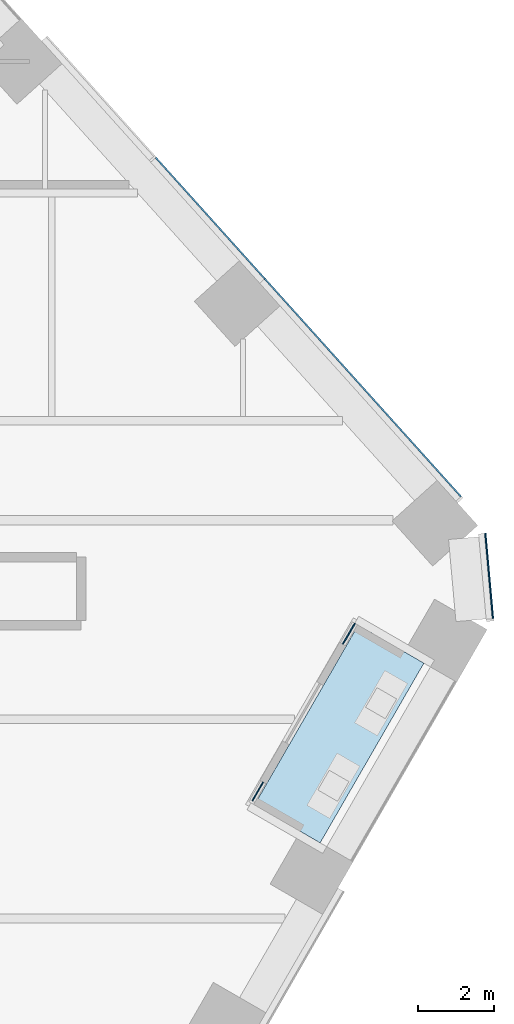
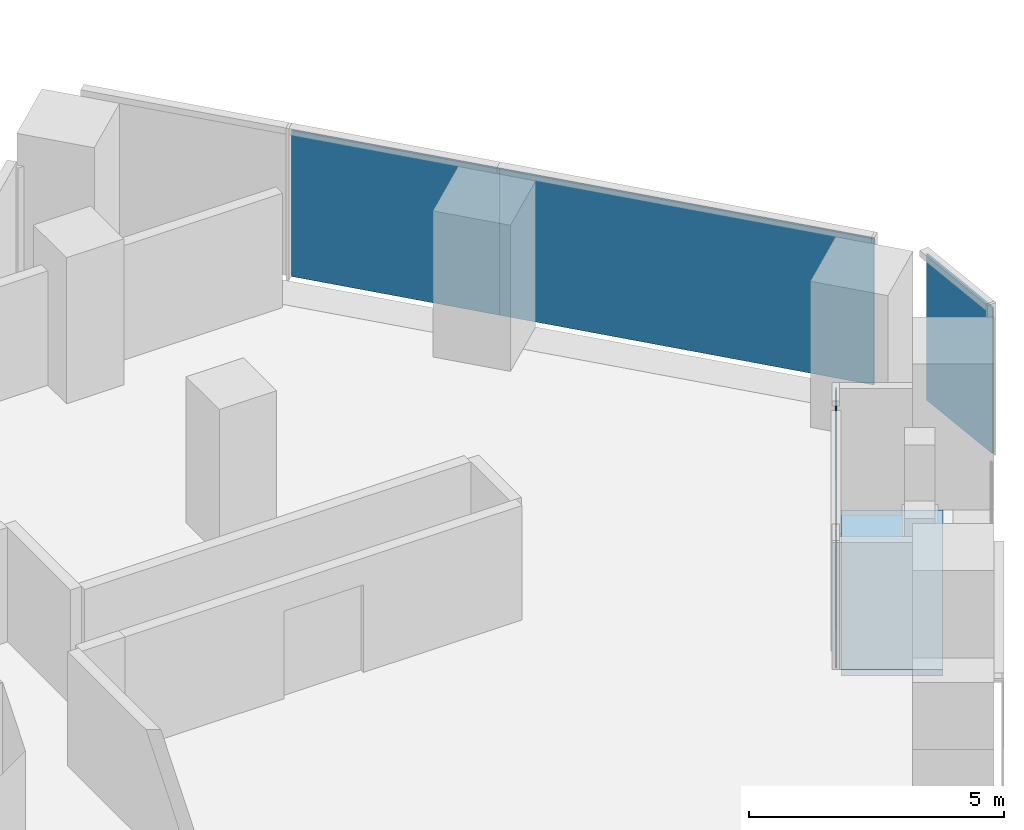
# One storey, part 19 of 28: 5 plates, 1 slab, 3 elements without a shape of their own.
"""IFC4 building model written with IfcOpenShell, lengths in metres."""

from ifc_helpers import new_model, si_unit, direction, frame, origin, origin_2d, place, context, subcontext, project, spatial, polyline, rectangle, outline, extrude, material, layer, layer_set, type_object, element, aggregate, save


model = new_model("IFC4")

# Units and contexts
model_context = context("Model", 3, precision=1e-05, world=origin(), true_north=direction((0.0, 1.0)))
body_context = subcontext(model_context, "Body", "Model", "MODEL_VIEW")
ifc_project = project(units=[si_unit("LENGTHUNIT", "METRE"), si_unit("AREAUNIT", "SQUARE_METRE"), si_unit("VOLUMEUNIT", "CUBIC_METRE"), si_unit("PLANEANGLEUNIT", "RADIAN"), si_unit("MASSUNIT", "GRAM", prefix="KILO")], contexts=[model_context])

# Site, building, storey
site_placement = place(None, origin())
site = spatial("IfcSite", under=ifc_project, at=site_placement, CompositionType="ELEMENT")
building_placement = place(site_placement, origin())
building = spatial("IfcBuilding", under=site, at=building_placement, Name="Isthmus Gate Tower", CompositionType="ELEMENT")
storey_placement = place(building_placement, frame((0.0, 0.0, 84.300048828125)))
storey = spatial("IfcBuildingStorey", under=building, at=storey_placement, Name="L19", CompositionType="ELEMENT", Elevation=84.300048828125)

# Curtain wall, plate
ifc_material_1 = material(Name="Aluminium, pale champagne anodised", Category="aluminium")
ifc_layer_1 = layer(ifc_material_1, 0.199951171875)
ifc_layer_set_1 = layer_set([ifc_layer_1], Name="CW-1 UNITISED CURTAIN WALL 200 DEEP")
curtain_wall_type_1 = type_object("IfcCurtainWallType", Name="CW-1 UNITISED CURTAIN WALL 200 DEEP", PredefinedType="NOTDEFINED", material=ifc_layer_set_1)
curtain_wall_1_placement = place(storey_placement, origin())
curtain_wall_1 = element("IfcCurtainWall", 1, at=curtain_wall_1_placement, inside=storey, type_object=curtain_wall_type_1, Name="CW-1 SE-NE L19", PredefinedType="NOTDEFINED")
ifc_material_2 = material(Name="Laminated low-iron glass, pale blue tint", Category="glass")
ifc_layer_2 = layer(ifc_material_2, 0.0400390625)
ifc_layer_set_2 = layer_set([ifc_layer_2], Name="CW-1 CLEAR GLASS LITE 40")
plate_type_1 = type_object("IfcPlateType", Name="CW-1 CLEAR GLASS LITE 40", PredefinedType="CURTAIN_PANEL", material=ifc_layer_set_2)
plate_1_placement = place(storey_placement, frame((38.155029296875, 3.403564453125, 0.0), z_axis=(0.0, 0.0, 1.0), x_axis=(-0.089396669717, 0.995996102123, 0.0)))
plate_1 = element("IfcPlate", 2, at=plate_1_placement, type_object=plate_type_1, Name="CW-1 glass lite", PredefinedType="CURTAIN_PANEL", context=body_context, shape_type="SweptSolid", body=[
    extrude(rectangle(XDim=2.258544921875, YDim=0.0400390625, at=origin_2d()), origin(), (0.0, 0.0, 1.0), 3.5),
])
aggregate(curtain_wall_1, [plate_1])

# Curtain wall, plates
curtain_wall_2_placement = place(storey_placement, origin())
curtain_wall_2 = element("IfcCurtainWall", 3, at=curtain_wall_2_placement, inside=storey, type_object=curtain_wall_type_1, Name="CW-1 NE L19", PredefinedType="NOTDEFINED")
plate_2_placement = place(storey_placement, frame((34.826904296875, 8.367919921875, 0.0), z_axis=(0.0, 0.0, 1.0), x_axis=(-0.669130606359, 0.743144825477, 0.0)))
plate_2 = element("IfcPlate", 4, at=plate_2_placement, type_object=plate_type_1, Name="CW-1 glass lite", PredefinedType="CURTAIN_PANEL", context=body_context, shape_type="SweptSolid", body=[
    extrude(rectangle(XDim=7.729248046875, YDim=0.0400390625, at=origin_2d()), origin(), (0.0, 0.0, 1.0), 3.5),
])
plate_3_placement = place(storey_placement, frame((30.80419921875, 12.835693359375, 0.0), z_axis=(0.0, 0.0, 1.0), x_axis=(-0.669130606359, 0.743144825477, 0.0)))
plate_3 = element("IfcPlate", 5, at=plate_3_placement, type_object=plate_type_1, Name="CW-1 glass lite", PredefinedType="CURTAIN_PANEL", context=body_context, shape_type="SweptSolid", body=[
    extrude(rectangle(XDim=4.294677734375, YDim=0.0400390625, at=origin_2d()), origin(), (0.0, 0.0, 1.0), 3.5),
])
aggregate(curtain_wall_2, [plate_2, plate_3])

ifc_material_3 = material(Name="Aluminium, pale champagne anodised", Category="aluminium")
ifc_layer_3 = layer(ifc_material_3, 0.14990234375)
ifc_layer_set_3 = layer_set([ifc_layer_3], Name="CW-6 LOGGIA BACK WALL GLAZING 150 DEEP")
curtain_wall_type_2 = type_object("IfcCurtainWallType", Name="CW-6 LOGGIA BACK WALL GLAZING 150 DEEP", PredefinedType="NOTDEFINED", material=ifc_layer_set_3)
curtain_wall_3_placement = place(storey_placement, origin())
curtain_wall_3 = element("IfcCurtainWall", 6, at=curtain_wall_3_placement, inside=storey, type_object=curtain_wall_type_2, Name="CW-6 SE L19", PredefinedType="NOTDEFINED")
ifc_material_4 = material(Name="Laminated low-iron glass, clear", Category="glass")
ifc_layer_4 = layer(ifc_material_4, 0.031982421875)
ifc_layer_set_4 = layer_set([ifc_layer_4], Name="CW-6 CLEAR GLASS LITE 32")
plate_type_2 = type_object("IfcPlateType", Name="CW-6 CLEAR GLASS LITE 32", PredefinedType="CURTAIN_PANEL", material=ifc_layer_set_4)
plate_4_placement = place(storey_placement, frame((32.05517578125, -2.27880859375, 0.0), z_axis=(0.0, 0.0, 1.0), x_axis=(0.5, 0.866025403784, 0.0)))
plate_4 = element("IfcPlate", 7, at=plate_4_placement, type_object=plate_type_2, Name="CW-6 glass lite", PredefinedType="CURTAIN_PANEL", context=body_context, shape_type="SweptSolid", body=[
    extrude(rectangle(XDim=0.57470703125, YDim=0.031982421875, at=origin_2d()), origin(), (0.0, 0.0, 1.0), 2.929931640625),
])
plate_5_placement = place(storey_placement, frame((34.45751953125, 1.88232421875, 0.0), z_axis=(0.0, 0.0, 1.0), x_axis=(0.5, 0.866025403784, 0.0)))
plate_5 = element("IfcPlate", 8, at=plate_5_placement, type_object=plate_type_2, Name="CW-6 glass lite", PredefinedType="CURTAIN_PANEL", context=body_context, shape_type="SweptSolid", body=[
    extrude(rectangle(XDim=0.634765625, YDim=0.031982421875, at=origin_2d()), origin(), (0.0, 0.0, 1.0), 2.929931640625),
])
aggregate(curtain_wall_3, [plate_4, plate_5])

# Slab
ifc_material_5 = material(Name="Concrete f'c 50 MPa", Category="concrete")
ifc_layer_5 = layer(ifc_material_5, 0.14990234375)
ifc_layer_set_5 = layer_set([ifc_layer_5], Name="LOGGIA FLOOR SLAB 150")
slab_type = type_object("IfcSlabType", Name="LOGGIA FLOOR SLAB 150", PredefinedType="FLOOR", material=ifc_layer_set_5)
slab_placement = place(storey_placement, frame((0.0, 0.0, -0.150146484375)))
element("IfcSlab", 9, at=slab_placement, inside=storey, type_object=slab_type, Name="LOGGIA FLOOR", PredefinedType="FLOOR", context=body_context, shape_type="SweptSolid", body=[
    extrude(outline(polyline([(33.7001953125, -3.629638671875), (36.434814453125, 1.107177734375), (34.702880859375, 2.107177734375), (31.968017578125, -2.629638671875), (33.7001953125, -3.629638671875)])), origin(), (0.0, 0.0, 1.0), 0.150146484375),
])

save(model, "model.ifc")
